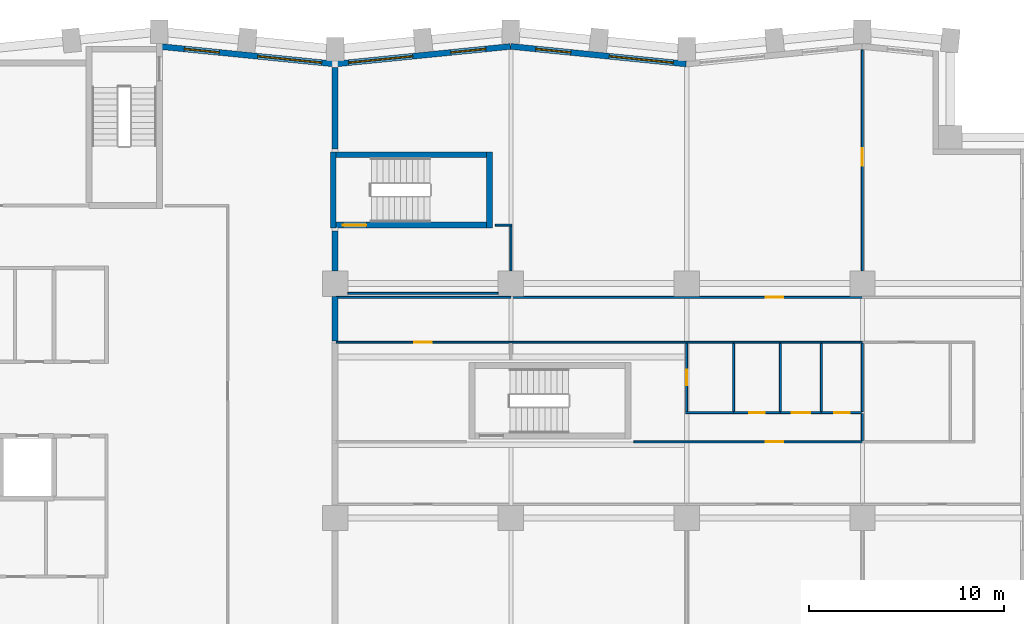
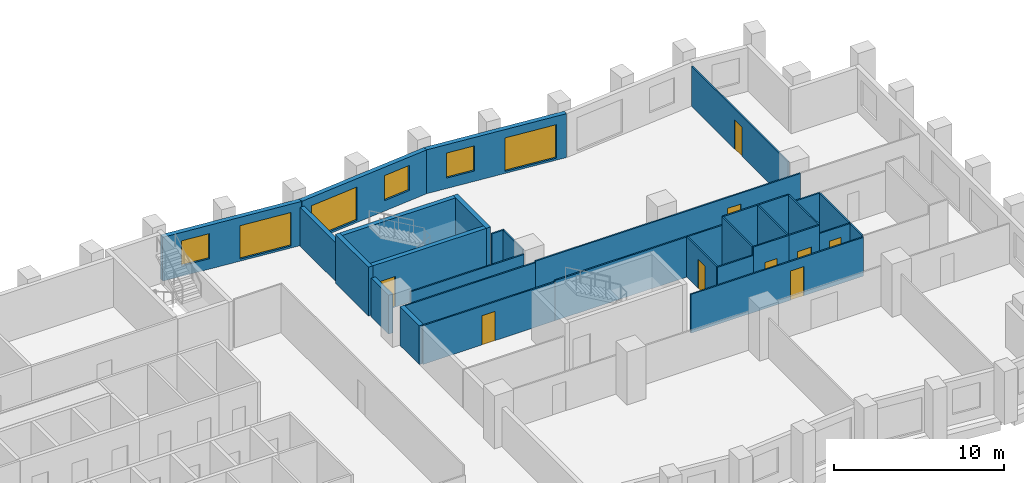
# One storey, part 7 of 11: 33 walls, 9 doors, 6 windows, 15 openings.
"""IFC4 building model written with IfcOpenShell, lengths in metres."""

import ifcopenshell
import ifcopenshell.guid

model = None  # the IFC model being written
_history = None  # IfcOwnerHistory: only IFC2X3 demands one
_inside = {}  # id of a spatial element -> (the spatial element, [elements in it])
_under = {}  # id of a project, library or spatial element -> (it, [spatial elements below it])
_declared = {}  # id of a project -> (the project, [libraries it declares])
_typed = {}  # id of a type object -> (the type object, [elements of that type])
_made_of = {}  # id of a material, layer set ... -> (it, [elements and type objects made of it])


def new_model(schema):
    """Start an empty IFC model of exactly this schema.

    Asked for "IFC4X3", IfcOpenShell would pick the latest addendum, in which some entities
    have other attributes; the version numbers below select the first issue.
    IFC2X3 requires an IfcOwnerHistory on every rooted entity: one is made here for all.
    """
    global model, _history
    if schema == "IFC4X3":
        model = ifcopenshell.file(schema_version=(4, 3, 0, 0))
    else:
        model = ifcopenshell.file(schema=schema)
    _inside.clear()
    _under.clear()
    _declared.clear()
    _typed.clear()
    _made_of.clear()
    _history = None
    if model.schema == "IFC2X3":
        org = make("IfcOrganization", Name="unknown")
        user = make(
            "IfcPersonAndOrganization",
            ThePerson=make("IfcPerson", FamilyName="unknown"),
            TheOrganization=org,
        )
        app = make(
            "IfcApplication",
            ApplicationDeveloper=org,
            Version="unknown",
            ApplicationFullName="unknown",
            ApplicationIdentifier="unknown",
        )
        _history = make(
            "IfcOwnerHistory",
            OwningUser=user,
            OwningApplication=app,
            ChangeAction="ADDED",
            CreationDate=0,
        )
    return model


def make(cls, **values):
    """One entity of the class cls with the attributes given. An attribute that is None is left unset."""
    return model.create_entity(
        cls, **{name: value for name, value in values.items() if value is not None}
    )


def rooted(cls, **values):
    """An entity with a GlobalId (a new one), such as an element, a storey or a relation."""
    return make(cls, GlobalId=ifcopenshell.guid.new(), OwnerHistory=_history, **values)


def si_unit(unit_type, name, prefix=None):
    """IfcSIUnit, for example si_unit("LENGTHUNIT", "METRE", prefix="MILLI")."""
    return make("IfcSIUnit", UnitType=unit_type, Prefix=prefix, Name=name)


def assignment(units):
    """IfcUnitAssignment: the units of a project."""
    return None if units is None else make("IfcUnitAssignment", Units=units)


def point(xyz):
    """IfcCartesianPoint."""
    return None if xyz is None else make("IfcCartesianPoint", Coordinates=xyz)


def direction(xyz):
    """IfcDirection."""
    return None if xyz is None else make("IfcDirection", DirectionRatios=xyz)


def frame(location, z_axis=None, x_axis=None):
    """IfcAxis2Placement3D, a coordinate frame: its origin and axes. An axis left out is left unset."""
    return make(
        "IfcAxis2Placement3D",
        Location=point(location),
        Axis=direction(z_axis),
        RefDirection=direction(x_axis),
    )


def frame_2d(location, x_axis=None):
    """IfcAxis2Placement2D, a coordinate frame in the plane: its origin and x axis."""
    return make(
        "IfcAxis2Placement2D", Location=point(location), RefDirection=direction(x_axis)
    )


def origin():
    """The frame at (0, 0, 0) with its axes left unset."""
    return frame((0.0, 0.0, 0.0))


def place(relative_to, where):
    """IfcLocalPlacement: puts the frame where relative to a parent placement (None: the world)."""
    return make(
        "IfcLocalPlacement", PlacementRelTo=relative_to, RelativePlacement=where
    )


def context(
    kind, dimensions, precision=None, world=None, true_north=None, identifier=None
):
    """IfcGeometricRepresentationContext, for example the 3D "Model" context."""
    return make(
        "IfcGeometricRepresentationContext",
        ContextIdentifier=identifier,
        ContextType=kind,
        CoordinateSpaceDimension=dimensions,
        Precision=precision,
        WorldCoordinateSystem=world,
        TrueNorth=true_north,
    )


def subcontext(parent, identifier, kind, view, scale=None):
    """IfcGeometricRepresentationSubContext, for example "Body" below "Model"."""
    return make(
        "IfcGeometricRepresentationSubContext",
        ContextIdentifier=identifier,
        ContextType=kind,
        ParentContext=parent,
        TargetScale=scale,
        TargetView=view,
    )


def project(units=None, contexts=None):
    """IfcProject with its units and contexts."""
    return rooted(
        "IfcProject",
        Name="project",
        RepresentationContexts=contexts,
        UnitsInContext=assignment(units),
    )


def spatial(cls, under=None, at=None, **own):
    """A site, building, storey or space (cls), placed at a placement, below another one or the project."""
    s = rooted(cls, ObjectPlacement=at, **own)
    if under is not None:
        _under.setdefault(under.id(), (under, []))[1].append(s)
    return s


def profile(cls, at=None, kind="AREA", **sizes):
    """A parametric profile (cls). Its sizes go by their IFC names, for example OverallWidth=200.0."""
    return make(cls, ProfileType=kind, Position=at, **sizes)


def rectangle(**sizes):
    """IfcRectangleProfileDef."""
    return profile("IfcRectangleProfileDef", **sizes)


def extrude(swept, where, along, depth):
    """IfcExtrudedAreaSolid: the profile swept, set in the frame where, extruded along a direction by depth."""
    return make(
        "IfcExtrudedAreaSolid",
        SweptArea=swept,
        Position=where,
        ExtrudedDirection=direction(along),
        Depth=depth,
    )


def shape(context_of_items, identifier, shape_type, items):
    """IfcShapeRepresentation: the items that make up one representation, for example the "Body"."""
    return make(
        "IfcShapeRepresentation",
        ContextOfItems=context_of_items,
        RepresentationIdentifier=identifier,
        RepresentationType=shape_type,
        Items=items,
    )


def material(Name=None, Category=None):
    """IfcMaterial."""
    return make("IfcMaterial", Name=Name, Category=Category)


def layer(
    of_material, thickness, ventilated=None, Name=None, Category=None, Priority=None
):
    """IfcMaterialLayer: one layer of a wall or slab, of a material (None: an air gap)."""
    return make(
        "IfcMaterialLayer",
        Material=of_material,
        LayerThickness=thickness,
        IsVentilated=ventilated,
        Name=Name,
        Category=Category,
        Priority=Priority,
    )


def layer_set(layers, Name=None):
    """IfcMaterialLayerSet."""
    return make("IfcMaterialLayerSet", MaterialLayers=layers, LayerSetName=Name)


def made_of(thing, what):
    """Note that an element or type object is made of a material, layer set ...; save() writes the relation."""
    if what is not None:
        _made_of.setdefault(what.id(), (what, []))[1].append(thing)
    return thing


def type_object(cls, material=None, **own):
    """A type object (cls), such as IfcWallType, which elements share."""
    return made_of(rooted(cls, **own), material)


def element(
    cls,
    number,
    at=None,
    inside=None,
    cuts=None,
    type_object=None,
    material=None,
    context=None,
    identifier="Body",
    shape_type=None,
    held_by="IfcProductDefinitionShape",
    body=None,
    shapes=None,
    **own,
):
    """One element of the class cls, such as IfcWall. Its Tag is "e" and its number.

    at: its placement. inside: the storey or other place that contains it. cuts: it is an
    opening in that element (IfcRelVoidsElement). A single representation is given by context,
    identifier, shape_type and body (its items); several are given by shapes. held_by: the class
    of the entity that holds the representations. save() writes the other relations.
    """
    e = rooted(cls, Tag="e%d" % number, ObjectPlacement=at, **own)
    if body is not None:
        shapes = [shape(context, identifier, shape_type, body)]
    if shapes is not None:
        e.Representation = make(held_by, Representations=shapes)
    if inside is not None:
        _inside.setdefault(inside.id(), (inside, []))[1].append(e)
    if cuts is not None:
        rooted(
            "IfcRelVoidsElement", RelatingBuildingElement=cuts, RelatedOpeningElement=e
        )
    if type_object is not None:
        _typed.setdefault(type_object.id(), (type_object, []))[1].append(e)
    return made_of(e, material)


def fill(opening, filler):
    """IfcRelFillsElement: the door or window that sits in an opening."""
    return rooted(
        "IfcRelFillsElement",
        RelatingOpeningElement=opening,
        RelatedBuildingElement=filler,
    )


def aggregate(whole, parts):
    """IfcRelAggregates: a whole, such as a stair, and the parts it consists of."""
    return rooted("IfcRelAggregates", RelatingObject=whole, RelatedObjects=parts)


def save(model, path):
    """Write the relations noted so far, then the file.

    IfcRelAggregates (storeys below a building ...), IfcRelContainedInSpatialStructure (elements
    in a storey), IfcRelDefinesByType, IfcRelAssociatesMaterial and IfcRelDeclares: one each for
    every whole, place, type object, material and project.
    """
    for whole, parts in _under.values():
        aggregate(whole, parts)
    for where, things in _inside.values():
        rooted(
            "IfcRelContainedInSpatialStructure",
            RelatedElements=things,
            RelatingStructure=where,
        )
    for kind, things in _typed.values():
        rooted("IfcRelDefinesByType", RelatedObjects=things, RelatingType=kind)
    for what, things in _made_of.values():
        rooted("IfcRelAssociatesMaterial", RelatedObjects=things, RelatingMaterial=what)
    for by, libraries in _declared.values():
        rooted("IfcRelDeclares", RelatingContext=by, RelatedDefinitions=libraries)
    model.write(path)


model = new_model("IFC4")

# Units and contexts
model_context = context("Model", 3, precision=1e-05, world=origin(), true_north=direction((0.0, 1.0)))
body_context = subcontext(model_context, "Body", "Model", "MODEL_VIEW")
ifc_project = project(units=[si_unit("LENGTHUNIT", "METRE"), si_unit("AREAUNIT", "SQUARE_METRE"), si_unit("VOLUMEUNIT", "CUBIC_METRE"), si_unit("PLANEANGLEUNIT", "RADIAN"), si_unit("MASSUNIT", "GRAM", prefix="KILO")], contexts=[model_context])

# Site, building, storey
site_placement = place(None, origin())
site = spatial("IfcSite", under=ifc_project, at=site_placement, CompositionType="ELEMENT")
building_placement = place(site_placement, origin())
building = spatial("IfcBuilding", under=site, at=building_placement, Name="Brondeck Convention Tower", CompositionType="ELEMENT")
storey_placement = place(building_placement, frame((0.0, 0.0, 107.5)))
storey = spatial("IfcBuildingStorey", under=building, at=storey_placement, Name="L25", CompositionType="ELEMENT", Elevation=107.5)

# Walls
ifc_material_1 = material(Name="Concrete compartment wall C30/37", Category="concrete")
ifc_layer_1 = layer(ifc_material_1, 0.300048828125)
ifc_layer_set_1 = layer_set([ifc_layer_1], Name="Compartment wall 300")
wall_type_1 = type_object("IfcWallType", Name="Compartment wall 300", PredefinedType="PARTITIONING", material=ifc_layer_set_1)
wall_1_placement = place(storey_placement, frame((36.0, 48.050048828125, 0.0), z_axis=(0.0, 0.0, 1.0), x_axis=(0.0, 1.0, 0.0)))
element("IfcWall", 1, at=wall_1_placement, inside=storey, type_object=wall_type_1, Name="FLR-L25-W064", PredefinedType="PARTITIONING", context=body_context, shape_type="SweptSolid", body=[
    extrude(rectangle(XDim=2.280029296875, YDim=0.300048828125, at=frame_2d((1.14013671875, 0.0))), origin(), (0.0, 0.0, 1.0), 2.780029296875),
])
wall_2_placement = place(storey_placement, frame((36.0, 51.655029296875, 0.0), z_axis=(0.0, 0.0, 1.0), x_axis=(0.0, 1.0, 0.0)))
element("IfcWall", 2, at=wall_2_placement, inside=storey, type_object=wall_type_1, Name="FLR-L25-W069", PredefinedType="PARTITIONING", context=body_context, shape_type="SweptSolid", body=[
    extrude(rectangle(XDim=2.044921875, YDim=0.300048828125, at=frame_2d((1.0224609375, 0.0))), origin(), (0.0, 0.0, 1.0), 2.780029296875),
])
wall_3_placement = place(storey_placement, frame((36.0, 57.89990234375, 0.0), z_axis=(0.0, 0.0, 1.0), x_axis=(0.0, 1.0, 0.0)))
element("IfcWall", 3, at=wall_3_placement, inside=storey, type_object=wall_type_1, Name="FLR-L25-W074", PredefinedType="PARTITIONING", context=body_context, shape_type="SweptSolid", body=[
    extrude(rectangle(XDim=4.175537109375, YDim=0.300048828125, at=frame_2d((2.087890625, 0.0))), origin(), (0.0, 0.0, 1.0), 2.780029296875),
])

# Wall, openings, windows
ifc_material_2 = material(Name="Precast concrete C50/60 bronze finish", Category="concrete")
ifc_layer_2 = layer(ifc_material_2, 0.070068359375, Name="Bronze precast facing")
ifc_material_3 = material(Name="Mineral wool")
ifc_layer_3 = layer(ifc_material_3, 0.159912109375, Name="Insulation")
ifc_material_4 = material(Name="Concrete C35/45", Category="concrete")
ifc_layer_4 = layer(ifc_material_4, 0.070068359375, Name="Backing")
ifc_layer_set_2 = layer_set([ifc_layer_2, ifc_layer_3, ifc_layer_4], Name="External infill wall, precast concrete C50/60 bronze facing")
wall_type_2 = type_object("IfcWallType", Name="External infill wall, precast concrete C50/60 bronze facing", PredefinedType="SOLIDWALL", material=ifc_layer_set_2)
wall_4_placement = place(storey_placement, frame((44.985107421875, 63.147705078125, 0.0), z_axis=(0.0, 0.0, 1.0), x_axis=(0.995037993253, -0.099495688264, 0.0)))
wall_4 = element("IfcWall", 4, at=wall_4_placement, inside=storey, type_object=wall_type_2, Name="ENV-EW-L25-P0-A-N-11", PredefinedType="SOLIDWALL", context=body_context, shape_type="SweptSolid", body=[
    extrude(rectangle(XDim=9.030029296875, YDim=0.300048828125, at=frame_2d((4.51513671875, 0.0))), origin(), (0.0, 0.0, 1.0), 3.14990234375),
])
opening_1_placement = place(wall_4_placement, frame((1.30126953125, 0.0, 0.75)))
opening_1 = element("IfcOpeningElement", 5, at=opening_1_placement, cuts=wall_4, Name="Opening W10", PredefinedType="OPENING", context=body_context, shape_type="SweptSolid", body=[
    extrude(rectangle(XDim=1.800048828125, YDim=1.800048828125, at=frame_2d((0.89990234375, 0.89990234375))), frame((0.0, 0.159912109375, 0.0), z_axis=(0.0, -1.0, 0.0), x_axis=(1.0, 0.0, 0.0)), (0.0, 0.0, 1.0), 0.320068359375),
])
opening_2_placement = place(wall_4_placement, frame((5.073486328125, 0.0, 0.14990234375)))
opening_2 = element("IfcOpeningElement", 6, at=opening_2_placement, cuts=wall_4, Name="Opening W9", PredefinedType="OPENING", context=body_context, shape_type="SweptSolid", body=[
    extrude(rectangle(XDim=3.300048828125, YDim=2.39990234375, at=frame_2d((1.64990234375, 1.199951171875))), frame((0.0, 0.159912109375, 0.0), z_axis=(0.0, -1.0, 0.0), x_axis=(1.0, 0.0, 0.0)), (0.0, 0.0, 1.0), 0.320068359375),
])
ifc_material_5 = material(Name="Bronze tinted double glazing", Category="glass")
window_type_1 = type_object("IfcWindowType", Name="Glazed flute window, bronze tinted", PartitioningType="SINGLE_PANEL", PredefinedType="WINDOW", material=ifc_material_5)
window_1_placement = place(opening_2_placement, origin())
window_1 = element("IfcWindow", 7, at=window_1_placement, inside=storey, type_object=window_type_1, Name="ENV-WN-L25-P0-A-N-11", OverallHeight=2.39990234375, OverallWidth=3.300048828125, PartitioningType="SINGLE_PANEL", PredefinedType="WINDOW", context=body_context, shape_type="SweptSolid", body=[
    extrude(rectangle(XDim=3.300048828125, YDim=2.39990234375, at=frame_2d((1.64990234375, 1.199951171875))), frame((0.0, 0.030029296875, 0.0), z_axis=(0.0, -1.0, 0.0), x_axis=(1.0, 0.0, 0.0)), (0.0, 0.0, 1.0), 0.06005859375),
])
fill(opening_2, window_1)
window_type_2 = type_object("IfcWindowType", Name="Punched window, bronze tinted", PartitioningType="SINGLE_PANEL", PredefinedType="WINDOW", material=ifc_material_5)
window_2_placement = place(opening_1_placement, origin())
window_2 = element("IfcWindow", 8, at=window_2_placement, inside=storey, type_object=window_type_2, Name="ENV-WN-L25-P0-A-N-10", OverallHeight=1.800048828125, OverallWidth=1.800048828125, PartitioningType="SINGLE_PANEL", PredefinedType="WINDOW", context=body_context, shape_type="SweptSolid", body=[
    extrude(rectangle(XDim=1.800048828125, YDim=1.800048828125, at=frame_2d((0.89990234375, 0.89990234375))), frame((0.0, 0.030029296875, 0.0), z_axis=(0.0, -1.0, 0.0), x_axis=(1.0, 0.0, 0.0)), (0.0, 0.0, 1.0), 0.06005859375),
])
fill(opening_1, window_2)

wall_5_placement = place(storey_placement, frame((35.985107421875, 62.244873046875, 0.0), z_axis=(0.0, 0.0, 1.0), x_axis=(0.995037993253, 0.099495688264, 0.0)))
wall_5 = element("IfcWall", 9, at=wall_5_placement, inside=storey, type_object=wall_type_2, Name="ENV-EW-L25-P0-A-N-09", PredefinedType="SOLIDWALL", context=body_context, shape_type="SweptSolid", body=[
    extrude(rectangle(XDim=9.030029296875, YDim=0.300048828125, at=frame_2d((4.51513671875, 0.0))), origin(), (0.0, 0.0, 1.0), 3.14990234375),
])
opening_3_placement = place(wall_5_placement, frame((0.701171875, 0.0, 0.14990234375)))
opening_3 = element("IfcOpeningElement", 10, at=opening_3_placement, cuts=wall_5, Name="Opening W9", PredefinedType="OPENING", context=body_context, shape_type="SweptSolid", body=[
    extrude(rectangle(XDim=3.300048828125, YDim=2.39990234375, at=frame_2d((1.64990234375, 1.199951171875))), frame((0.0, 0.159912109375, 0.0), z_axis=(0.0, -1.0, 0.0), x_axis=(1.0, 0.0, 0.0)), (0.0, 0.0, 1.0), 0.320068359375),
])
opening_4_placement = place(wall_5_placement, frame((5.9736328125, 0.0, 0.75)))
opening_4 = element("IfcOpeningElement", 11, at=opening_4_placement, cuts=wall_5, Name="Opening W10", PredefinedType="OPENING", context=body_context, shape_type="SweptSolid", body=[
    extrude(rectangle(XDim=1.800048828125, YDim=1.800048828125, at=frame_2d((0.89990234375, 0.89990234375))), frame((0.0, 0.159912109375, 0.0), z_axis=(0.0, -1.0, 0.0), x_axis=(1.0, 0.0, 0.0)), (0.0, 0.0, 1.0), 0.320068359375),
])
window_3_placement = place(opening_3_placement, origin())
window_3 = element("IfcWindow", 12, at=window_3_placement, inside=storey, type_object=window_type_1, Name="ENV-WN-L25-P0-A-N-08", OverallHeight=2.39990234375, OverallWidth=3.300048828125, PartitioningType="SINGLE_PANEL", PredefinedType="WINDOW", context=body_context, shape_type="SweptSolid", body=[
    extrude(rectangle(XDim=3.300048828125, YDim=2.39990234375, at=frame_2d((1.64990234375, 1.199951171875))), frame((0.0, 0.030029296875, 0.0), z_axis=(0.0, -1.0, 0.0), x_axis=(1.0, 0.0, 0.0)), (0.0, 0.0, 1.0), 0.06005859375),
])
fill(opening_3, window_3)
window_4_placement = place(opening_4_placement, origin())
window_4 = element("IfcWindow", 13, at=window_4_placement, inside=storey, type_object=window_type_2, Name="ENV-WN-L25-P0-A-N-09", OverallHeight=1.800048828125, OverallWidth=1.800048828125, PartitioningType="SINGLE_PANEL", PredefinedType="WINDOW", context=body_context, shape_type="SweptSolid", body=[
    extrude(rectangle(XDim=1.800048828125, YDim=1.800048828125, at=frame_2d((0.89990234375, 0.89990234375))), frame((0.0, 0.030029296875, 0.0), z_axis=(0.0, -1.0, 0.0), x_axis=(1.0, 0.0, 0.0)), (0.0, 0.0, 1.0), 0.06005859375),
])
fill(opening_4, window_4)

wall_6_placement = place(storey_placement, frame((27.07470703125, 63.138916015625, 0.0), z_axis=(0.0, 0.0, 1.0), x_axis=(0.995036108601, -0.099514534519, 0.0)))
wall_6 = element("IfcWall", 14, at=wall_6_placement, inside=storey, type_object=wall_type_2, Name="ENV-EW-L25-P0-A-N-07", PredefinedType="SOLIDWALL", context=body_context, shape_type="SweptSolid", body=[
    extrude(rectangle(XDim=8.93994140625, YDim=0.300048828125, at=frame_2d((4.469970703125, 0.0))), origin(), (0.0, 0.0, 1.0), 3.14990234375),
])
opening_5_placement = place(wall_6_placement, frame((1.211181640625, 0.0, 0.75)))
opening_5 = element("IfcOpeningElement", 15, at=opening_5_placement, cuts=wall_6, Name="Opening W10", PredefinedType="OPENING", context=body_context, shape_type="SweptSolid", body=[
    extrude(rectangle(XDim=1.800048828125, YDim=1.800048828125, at=frame_2d((0.89990234375, 0.89990234375))), frame((0.0, 0.159912109375, 0.0), z_axis=(0.0, -1.0, 0.0), x_axis=(1.0, 0.0, 0.0)), (0.0, 0.0, 1.0), 0.320068359375),
])
opening_6_placement = place(wall_6_placement, frame((4.983642578125, 0.0, 0.14990234375)))
opening_6 = element("IfcOpeningElement", 16, at=opening_6_placement, cuts=wall_6, Name="Opening W9", PredefinedType="OPENING", context=body_context, shape_type="SweptSolid", body=[
    extrude(rectangle(XDim=3.300048828125, YDim=2.39990234375, at=frame_2d((1.64990234375, 1.199951171875))), frame((0.0, 0.159912109375, 0.0), z_axis=(0.0, -1.0, 0.0), x_axis=(1.0, 0.0, 0.0)), (0.0, 0.0, 1.0), 0.320068359375),
])
window_5_placement = place(opening_6_placement, origin())
window_5 = element("IfcWindow", 17, at=window_5_placement, inside=storey, type_object=window_type_1, Name="ENV-WN-L25-P0-A-N-07", OverallHeight=2.39990234375, OverallWidth=3.300048828125, PartitioningType="SINGLE_PANEL", PredefinedType="WINDOW", context=body_context, shape_type="SweptSolid", body=[
    extrude(rectangle(XDim=3.300048828125, YDim=2.39990234375, at=frame_2d((1.64990234375, 1.199951171875))), frame((0.0, 0.030029296875, 0.0), z_axis=(0.0, -1.0, 0.0), x_axis=(1.0, 0.0, 0.0)), (0.0, 0.0, 1.0), 0.06005859375),
])
fill(opening_6, window_5)
window_6_placement = place(opening_5_placement, origin())
window_6 = element("IfcWindow", 18, at=window_6_placement, inside=storey, type_object=window_type_2, Name="ENV-WN-L25-P0-A-N-06", OverallHeight=1.800048828125, OverallWidth=1.800048828125, PartitioningType="SINGLE_PANEL", PredefinedType="WINDOW", context=body_context, shape_type="SweptSolid", body=[
    extrude(rectangle(XDim=1.800048828125, YDim=1.800048828125, at=frame_2d((0.89990234375, 0.89990234375))), frame((0.0, 0.030029296875, 0.0), z_axis=(0.0, -1.0, 0.0), x_axis=(1.0, 0.0, 0.0)), (0.0, 0.0, 1.0), 0.06005859375),
])
fill(opening_5, window_6)

# Wall, opening, door
ifc_material_6 = material(Name="Gypsum board partition on steel studs", Category="steel")
ifc_layer_5 = layer(ifc_material_6, 0.10009765625)
ifc_layer_set_3 = layer_set([ifc_layer_5], Name="Room partition 100")
wall_type_3 = type_object("IfcWallType", Name="Room partition 100", PredefinedType="PARTITIONING", material=ifc_layer_set_3)
wall_7_placement = place(storey_placement, frame((51.300048828125, 42.89990234375, 0.0), z_axis=(0.0, 0.0, 1.0), x_axis=(1.0, 0.0, 0.0)))
wall_7 = element("IfcWall", 19, at=wall_7_placement, inside=storey, type_object=wall_type_3, Name="FLR-L25-W039", PredefinedType="PARTITIONING", context=body_context, shape_type="SweptSolid", body=[
    extrude(rectangle(XDim=11.699951171875, YDim=0.10009765625, at=frame_2d((5.85009765625, 0.0))), origin(), (0.0, 0.0, 1.0), 2.780029296875),
])
opening_7_placement = place(wall_7_placement, frame((6.75, 0.0, 0.0)))
opening_7 = element("IfcOpeningElement", 20, at=opening_7_placement, cuts=wall_7, Name="Opening OF-B-003", PredefinedType="OPENING", context=body_context, shape_type="SweptSolid", body=[
    extrude(rectangle(XDim=0.89990234375, YDim=2.10009765625, at=frame_2d((0.449951171875, 1.050048828125))), frame((0.0, 0.06005859375, 0.0), z_axis=(0.0, -1.0, 0.0), x_axis=(1.0, 0.0, 0.0)), (0.0, 0.0, 1.0), 0.1201171875),
])
ifc_material_7 = material(Name="Solid timber door leaf", Category="wood")
door_type_1 = type_object("IfcDoorType", Name="Single door 900", OperationType="NOTDEFINED", PredefinedType="DOOR", material=ifc_material_7)
door_1_placement = place(opening_7_placement, origin())
door_1 = element("IfcDoor", 21, at=door_1_placement, inside=storey, type_object=door_type_1, Name="Door OF-B-003", OperationType="SINGLE_SWING_LEFT", OverallHeight=2.10009765625, OverallWidth=0.89990234375, PredefinedType="DOOR", context=body_context, shape_type="SweptSolid", body=[
    extrude(rectangle(XDim=0.89990234375, YDim=2.10009765625, at=frame_2d((0.449951171875, 1.050048828125))), frame((0.0, 0.02490234375, 0.0), z_axis=(0.0, -1.0, 0.0), x_axis=(1.0, 0.0, 0.0)), (0.0, 0.0, 1.0), 0.050048828125),
])
fill(opening_7, door_1)

# Walls
wall_8_placement = place(storey_placement, frame((63.0, 44.35009765625, 0.0), z_axis=(0.0, 0.0, 1.0), x_axis=(0.0, -1.0, 0.0)))
element("IfcWall", 22, at=wall_8_placement, inside=storey, type_object=wall_type_3, Name="FLR-L25-W044", PredefinedType="PARTITIONING", context=body_context, shape_type="SweptSolid", body=[
    extrude(rectangle(XDim=1.400146484375, YDim=0.10009765625, at=frame_2d((0.7001953125, 0.0))), origin(), (0.0, 0.0, 1.0), 2.8798828125),
])
wall_9_placement = place(storey_placement, frame((53.949951171875, 44.39990234375, 0.0), z_axis=(0.0, 0.0, 1.0), x_axis=(1.0, 0.0, 0.0)))
element("IfcWall", 23, at=wall_9_placement, inside=storey, type_object=wall_type_3, Name="FLR-L25-W045", PredefinedType="PARTITIONING", context=body_context, shape_type="SweptSolid", body=[
    extrude(rectangle(XDim=2.449951171875, YDim=0.10009765625, at=frame_2d((1.22509765625, 0.0))), origin(), (0.0, 0.0, 1.0), 2.8798828125),
])

# Wall, opening, door
wall_10_placement = place(storey_placement, frame((56.39990234375, 44.39990234375, 0.0), z_axis=(0.0, 0.0, 1.0), x_axis=(1.0, 0.0, 0.0)))
wall_10 = element("IfcWall", 24, at=wall_10_placement, inside=storey, type_object=wall_type_3, Name="FLR-L25-W046", PredefinedType="PARTITIONING", context=body_context, shape_type="SweptSolid", body=[
    extrude(rectangle(XDim=2.400146484375, YDim=0.10009765625, at=frame_2d((1.2001953125, 0.0))), origin(), (0.0, 0.0, 1.0), 3.47998046875),
])
opening_8_placement = place(wall_10_placement, frame((0.800048828125, 0.0, 0.0)))
opening_8 = element("IfcOpeningElement", 25, at=opening_8_placement, cuts=wall_10, Name="Opening OF-B-005", PredefinedType="OPENING", context=body_context, shape_type="SweptSolid", body=[
    extrude(rectangle(XDim=0.800048828125, YDim=2.10009765625, at=frame_2d((0.39990234375, 1.050048828125))), frame((0.0, 0.06005859375, 0.0), z_axis=(0.0, -1.0, 0.0), x_axis=(1.0, 0.0, 0.0)), (0.0, 0.0, 1.0), 0.1201171875),
])
door_type_2 = type_object("IfcDoorType", Name="En-suite door 800", OperationType="NOTDEFINED", PredefinedType="DOOR", material=ifc_material_7)
door_2_placement = place(opening_8_placement, origin())
door_2 = element("IfcDoor", 26, at=door_2_placement, inside=storey, type_object=door_type_2, Name="Door OF-B-005", OperationType="SINGLE_SWING_RIGHT", OverallHeight=2.10009765625, OverallWidth=0.800048828125, PredefinedType="DOOR", context=body_context, shape_type="SweptSolid", body=[
    extrude(rectangle(XDim=0.800048828125, YDim=2.10009765625, at=frame_2d((0.39990234375, 1.050048828125))), frame((0.0, 0.02490234375, 0.0), z_axis=(0.0, -1.0, 0.0), x_axis=(1.0, 0.0, 0.0)), (0.0, 0.0, 1.0), 0.050048828125),
])
fill(opening_8, door_2)

wall_11_placement = place(storey_placement, frame((58.800048828125, 44.39990234375, 0.0), z_axis=(0.0, 0.0, 1.0), x_axis=(1.0, 0.0, 0.0)))
wall_11 = element("IfcWall", 27, at=wall_11_placement, inside=storey, type_object=wall_type_3, Name="FLR-L25-W047", PredefinedType="PARTITIONING", context=body_context, shape_type="SweptSolid", body=[
    extrude(rectangle(XDim=2.099853515625, YDim=0.10009765625, at=frame_2d((1.0498046875, 0.0))), origin(), (0.0, 0.0, 1.0), 3.47998046875),
])
opening_9_placement = place(wall_11_placement, frame((0.574951171875, 0.0, 0.0)))
opening_9 = element("IfcOpeningElement", 28, at=opening_9_placement, cuts=wall_11, Name="Opening OF-B-006", PredefinedType="OPENING", context=body_context, shape_type="SweptSolid", body=[
    extrude(rectangle(XDim=0.949951171875, YDim=2.10009765625, at=frame_2d((0.47509765625, 1.050048828125))), frame((0.0, 0.06005859375, 0.0), z_axis=(0.0, -1.0, 0.0), x_axis=(1.0, 0.0, 0.0)), (0.0, 0.0, 1.0), 0.1201171875),
])
door_type_3 = type_object("IfcDoorType", Name="Accessible door 950", OperationType="NOTDEFINED", PredefinedType="DOOR", material=ifc_material_7)
door_3_placement = place(opening_9_placement, origin())
door_3 = element("IfcDoor", 29, at=door_3_placement, inside=storey, type_object=door_type_3, Name="Door OF-B-006", OperationType="SINGLE_SWING_LEFT", OverallHeight=2.10009765625, OverallWidth=0.949951171875, PredefinedType="DOOR", context=body_context, shape_type="SweptSolid", body=[
    extrude(rectangle(XDim=0.949951171875, YDim=2.10009765625, at=frame_2d((0.47509765625, 1.050048828125))), frame((0.0, 0.02490234375, 0.0), z_axis=(0.0, -1.0, 0.0), x_axis=(1.0, 0.0, 0.0)), (0.0, 0.0, 1.0), 0.050048828125),
])
fill(opening_9, door_3)

wall_12_placement = place(storey_placement, frame((60.89990234375, 44.39990234375, 0.0), z_axis=(0.0, 0.0, 1.0), x_axis=(1.0, 0.0, 0.0)))
wall_12 = element("IfcWall", 30, at=wall_12_placement, inside=storey, type_object=wall_type_3, Name="FLR-L25-W048", PredefinedType="PARTITIONING", context=body_context, shape_type="SweptSolid", body=[
    extrude(rectangle(XDim=2.050048828125, YDim=0.10009765625, at=frame_2d((1.02490234375, 0.0))), origin(), (0.0, 0.0, 1.0), 2.8798828125),
])
opening_10_placement = place(wall_12_placement, frame((0.64990234375, 0.0, 0.0)))
opening_10 = element("IfcOpeningElement", 31, at=opening_10_placement, cuts=wall_12, Name="Opening OF-B-007", PredefinedType="OPENING", context=body_context, shape_type="SweptSolid", body=[
    extrude(rectangle(XDim=0.800048828125, YDim=2.10009765625, at=frame_2d((0.39990234375, 1.050048828125))), frame((0.0, 0.06005859375, 0.0), z_axis=(0.0, -1.0, 0.0), x_axis=(1.0, 0.0, 0.0)), (0.0, 0.0, 1.0), 0.1201171875),
])
ifc_material_8 = material(Name="Steel service door leaf", Category="steel")
door_type_4 = type_object("IfcDoorType", Name="Service door 800", OperationType="NOTDEFINED", PredefinedType="DOOR", material=ifc_material_8)
door_4_placement = place(opening_10_placement, origin())
door_4 = element("IfcDoor", 32, at=door_4_placement, inside=storey, type_object=door_type_4, Name="Door OF-B-007", OperationType="SINGLE_SWING_RIGHT", OverallHeight=2.10009765625, OverallWidth=0.800048828125, PredefinedType="DOOR", context=body_context, shape_type="SweptSolid", body=[
    extrude(rectangle(XDim=0.800048828125, YDim=2.10009765625, at=frame_2d((0.39990234375, 1.050048828125))), frame((0.0, 0.02490234375, 0.0), z_axis=(0.0, -1.0, 0.0), x_axis=(1.0, 0.0, 0.0)), (0.0, 0.0, 1.0), 0.050048828125),
])
fill(opening_10, door_4)

wall_13_placement = place(storey_placement, frame((54.0, 47.949951171875, 0.0), z_axis=(0.0, 0.0, 1.0), x_axis=(0.0, -1.0, 0.0)))
wall_13 = element("IfcWall", 33, at=wall_13_placement, inside=storey, type_object=wall_type_3, Name="FLR-L25-W050", PredefinedType="PARTITIONING", context=body_context, shape_type="SweptSolid", body=[
    extrude(rectangle(XDim=3.5, YDim=0.10009765625, at=frame_2d((1.75, 0.0))), origin(), (0.0, 0.0, 1.0), 2.8798828125),
])
opening_11_placement = place(wall_13_placement, frame((1.35009765625, 0.0, 0.0)))
opening_11 = element("IfcOpeningElement", 34, at=opening_11_placement, cuts=wall_13, Name="Opening OF-B-004", PredefinedType="OPENING", context=body_context, shape_type="SweptSolid", body=[
    extrude(rectangle(XDim=0.800048828125, YDim=2.10009765625, at=frame_2d((0.39990234375, 1.050048828125))), frame((0.0, 0.06005859375, 0.0), z_axis=(0.0, -1.0, 0.0), x_axis=(1.0, 0.0, 0.0)), (0.0, 0.0, 1.0), 0.1201171875),
])
door_5_placement = place(opening_11_placement, origin())
door_5 = element("IfcDoor", 35, at=door_5_placement, inside=storey, type_object=door_type_2, Name="Door OF-B-004", OperationType="SINGLE_SWING_LEFT", OverallHeight=2.10009765625, OverallWidth=0.800048828125, PredefinedType="DOOR", context=body_context, shape_type="SweptSolid", body=[
    extrude(rectangle(XDim=0.800048828125, YDim=2.10009765625, at=frame_2d((0.39990234375, 1.050048828125))), frame((0.0, 0.02490234375, 0.0), z_axis=(0.0, -1.0, 0.0), x_axis=(1.0, 0.0, 0.0)), (0.0, 0.0, 1.0), 0.050048828125),
])
fill(opening_11, door_5)

# Walls
for number, where, z_axis, x_axis, name in (
    (36, (56.39990234375, 47.949951171875, 0.0), (0.0, 0.0, 1.0), (0.0, -1.0, 0.0), "FLR-L25-W051"),
    (37, (58.800048828125, 47.949951171875, 0.0), (0.0, 0.0, 1.0), (0.0, -1.0, 0.0), "FLR-L25-W052"),
    (38, (60.89990234375, 47.949951171875, 0.0), (0.0, 0.0, 1.0), (0.0, -1.0, 0.0), "FLR-L25-W053"),
):
    element("IfcWall", number, at=place(storey_placement, frame(where, z_axis=z_axis, x_axis=x_axis)), inside=storey, type_object=wall_type_3, Name=name, PredefinedType="PARTITIONING", context=body_context, shape_type="SweptSolid", body=[
        extrude(rectangle(XDim=3.5, YDim=0.10009765625, at=frame_2d((1.75, 0.0))), origin(), (0.0, 0.0, 1.0), 3.47998046875),
    ])
wall_14_placement = place(storey_placement, frame((63.0, 47.949951171875, 0.0), z_axis=(0.0, 0.0, 1.0), x_axis=(0.0, -1.0, 0.0)))
element("IfcWall", 39, at=wall_14_placement, inside=storey, type_object=wall_type_3, Name="FLR-L25-W054", PredefinedType="PARTITIONING", context=body_context, shape_type="SweptSolid", body=[
    extrude(rectangle(XDim=3.5, YDim=0.10009765625, at=frame_2d((1.75, 0.0))), origin(), (0.0, 0.0, 1.0), 2.8798828125),
])

# Wall, opening, door
wall_15_placement = place(storey_placement, frame((45.0, 48.0, 0.0), z_axis=(0.0, 0.0, 1.0), x_axis=(-1.0, 0.0, 0.0)))
wall_15 = element("IfcWall", 40, at=wall_15_placement, inside=storey, type_object=wall_type_3, Name="FLR-L25-W056", PredefinedType="PARTITIONING", context=body_context, shape_type="SweptSolid", body=[
    extrude(rectangle(XDim=8.949951171875, YDim=0.10009765625, at=frame_2d((4.47509765625, 0.0))), origin(), (0.0, 0.0, 1.0), 2.780029296875),
])
opening_12_placement = place(wall_15_placement, frame((4.050048828125, 0.0, 0.0)))
opening_12 = element("IfcOpeningElement", 41, at=opening_12_placement, cuts=wall_15, Name="Opening OF-B-002", PredefinedType="OPENING", context=body_context, shape_type="SweptSolid", body=[
    extrude(rectangle(XDim=0.89990234375, YDim=2.10009765625, at=frame_2d((0.449951171875, 1.050048828125))), frame((0.0, 0.06005859375, 0.0), z_axis=(0.0, -1.0, 0.0), x_axis=(1.0, 0.0, 0.0)), (0.0, 0.0, 1.0), 0.1201171875),
])
door_6_placement = place(opening_12_placement, origin())
door_6 = element("IfcDoor", 42, at=door_6_placement, inside=storey, type_object=door_type_1, Name="Door OF-B-002", OperationType="SINGLE_SWING_RIGHT", OverallHeight=2.10009765625, OverallWidth=0.89990234375, PredefinedType="DOOR", context=body_context, shape_type="SweptSolid", body=[
    extrude(rectangle(XDim=0.89990234375, YDim=2.10009765625, at=frame_2d((0.449951171875, 1.050048828125))), frame((0.0, 0.02490234375, 0.0), z_axis=(0.0, -1.0, 0.0), x_axis=(1.0, 0.0, 0.0)), (0.0, 0.0, 1.0), 0.050048828125),
])
fill(opening_12, door_6)

# Walls
wall_16_placement = place(storey_placement, frame((54.0, 48.0, 0.0), z_axis=(0.0, 0.0, 1.0), x_axis=(-1.0, 0.0, 0.0)))
element("IfcWall", 43, at=wall_16_placement, inside=storey, type_object=wall_type_3, Name="FLR-L25-W057", PredefinedType="PARTITIONING", context=body_context, shape_type="SweptSolid", body=[
    extrude(rectangle(XDim=9.0, YDim=0.10009765625, at=frame_2d((4.5, 0.0))), origin(), (0.0, 0.0, 1.0), 2.8798828125),
])
wall_17_placement = place(storey_placement, frame((56.39990234375, 48.0, 0.0), z_axis=(0.0, 0.0, 1.0), x_axis=(-1.0, 0.0, 0.0)))
element("IfcWall", 44, at=wall_17_placement, inside=storey, type_object=wall_type_3, Name="FLR-L25-W058", PredefinedType="PARTITIONING", context=body_context, shape_type="SweptSolid", body=[
    extrude(rectangle(XDim=2.39990234375, YDim=0.10009765625, at=frame_2d((1.199951171875, 0.0))), origin(), (0.0, 0.0, 1.0), 2.8798828125),
])
wall_18_placement = place(storey_placement, frame((58.800048828125, 48.0, 0.0), z_axis=(0.0, 0.0, 1.0), x_axis=(-1.0, 0.0, 0.0)))
element("IfcWall", 45, at=wall_18_placement, inside=storey, type_object=wall_type_3, Name="FLR-L25-W059", PredefinedType="PARTITIONING", context=body_context, shape_type="SweptSolid", body=[
    extrude(rectangle(XDim=2.400146484375, YDim=0.10009765625, at=frame_2d((1.2001953125, 0.0))), origin(), (0.0, 0.0, 1.0), 3.47998046875),
])
wall_19_placement = place(storey_placement, frame((60.89990234375, 48.0, 0.0), z_axis=(0.0, 0.0, 1.0), x_axis=(-1.0, 0.0, 0.0)))
element("IfcWall", 46, at=wall_19_placement, inside=storey, type_object=wall_type_3, Name="FLR-L25-W060", PredefinedType="PARTITIONING", context=body_context, shape_type="SweptSolid", body=[
    extrude(rectangle(XDim=2.099853515625, YDim=0.10009765625, at=frame_2d((1.0498046875, 0.0))), origin(), (0.0, 0.0, 1.0), 3.47998046875),
])
wall_20_placement = place(storey_placement, frame((63.0, 48.0, 0.0), z_axis=(0.0, 0.0, 1.0), x_axis=(-1.0, 0.0, 0.0)))
element("IfcWall", 47, at=wall_20_placement, inside=storey, type_object=wall_type_3, Name="FLR-L25-W061", PredefinedType="PARTITIONING", context=body_context, shape_type="SweptSolid", body=[
    extrude(rectangle(XDim=2.10009765625, YDim=0.10009765625, at=frame_2d((1.050048828125, 0.0))), origin(), (0.0, 0.0, 1.0), 2.8798828125),
])
wall_21_placement = place(storey_placement, frame((36.050048828125, 50.300048828125, 0.0), z_axis=(0.0, 0.0, 1.0), x_axis=(1.0, 0.0, 0.0)))
element("IfcWall", 48, at=wall_21_placement, inside=storey, type_object=wall_type_3, Name="FLR-L25-W065", PredefinedType="PARTITIONING", context=body_context, shape_type="SweptSolid", body=[
    extrude(rectangle(XDim=8.949951171875, YDim=0.10009765625, at=frame_2d((4.47509765625, 0.0))), origin(), (0.0, 0.0, 1.0), 2.780029296875),
])

# Wall, opening, door
wall_22_placement = place(storey_placement, frame((45.0, 50.300048828125, 0.0), z_axis=(0.0, 0.0, 1.0), x_axis=(1.0, 0.0, 0.0)))
wall_22 = element("IfcWall", 49, at=wall_22_placement, inside=storey, type_object=wall_type_3, Name="FLR-L25-W066", PredefinedType="PARTITIONING", context=body_context, shape_type="SweptSolid", body=[
    extrude(rectangle(XDim=18.0, YDim=0.10009765625, at=frame_2d((9.0, 0.0))), origin(), (0.0, 0.0, 1.0), 2.8798828125),
])
opening_13_placement = place(wall_22_placement, frame((13.050048828125, 0.0, 0.0)))
opening_13 = element("IfcOpeningElement", 50, at=opening_13_placement, cuts=wall_22, Name="Opening OF-B-012", PredefinedType="OPENING", context=body_context, shape_type="SweptSolid", body=[
    extrude(rectangle(XDim=0.89990234375, YDim=2.10009765625, at=frame_2d((0.449951171875, 1.050048828125))), frame((0.0, 0.06005859375, 0.0), z_axis=(0.0, -1.0, 0.0), x_axis=(1.0, 0.0, 0.0)), (0.0, 0.0, 1.0), 0.1201171875),
])
door_7_placement = place(opening_13_placement, origin())
door_7 = element("IfcDoor", 51, at=door_7_placement, inside=storey, type_object=door_type_1, Name="Door OF-B-012", OperationType="SINGLE_SWING_LEFT", OverallHeight=2.10009765625, OverallWidth=0.89990234375, PredefinedType="DOOR", context=body_context, shape_type="SweptSolid", body=[
    extrude(rectangle(XDim=0.89990234375, YDim=2.10009765625, at=frame_2d((0.449951171875, 1.050048828125))), frame((0.0, 0.02490234375, 0.0), z_axis=(0.0, -1.0, 0.0), x_axis=(1.0, 0.0, 0.0)), (0.0, 0.0, 1.0), 0.050048828125),
])
fill(opening_13, door_7)

# Walls
wall_23_placement = place(storey_placement, frame((44.344970703125, 50.5, 0.0), z_axis=(0.0, 0.0, 1.0), x_axis=(-1.0, 0.0, 0.0)))
element("IfcWall", 52, at=wall_23_placement, inside=storey, type_object=wall_type_3, Name="FLR-L25-W068", PredefinedType="PARTITIONING", context=body_context, shape_type="SweptSolid", body=[
    extrude(rectangle(XDim=7.68994140625, YDim=0.10009765625, at=frame_2d((3.844970703125, 0.0))), origin(), (0.0, 0.0, 1.0), 3.47998046875),
])
wall_24_placement = place(storey_placement, frame((45.0, 53.949951171875, 0.0), z_axis=(0.0, 0.0, 1.0), x_axis=(0.0, -1.0, 0.0)))
element("IfcWall", 53, at=wall_24_placement, inside=storey, type_object=wall_type_3, Name="FLR-L25-W070", PredefinedType="PARTITIONING", context=body_context, shape_type="SweptSolid", body=[
    extrude(rectangle(XDim=2.294921875, YDim=0.10009765625, at=frame_2d((1.1474609375, 0.0))), origin(), (0.0, 0.0, 1.0), 2.8798828125),
])
wall_25_placement = place(storey_placement, frame((44.199951171875, 54.0, 0.0), z_axis=(0.0, 0.0, 1.0), x_axis=(1.0, 0.0, 0.0)))
element("IfcWall", 54, at=wall_25_placement, inside=storey, type_object=wall_type_3, Name="FLR-L25-W071", PredefinedType="PARTITIONING", context=body_context, shape_type="SweptSolid", body=[
    extrude(rectangle(XDim=0.85009765625, YDim=0.10009765625, at=frame_2d((0.425048828125, 0.0))), origin(), (0.0, 0.0, 1.0), 2.8798828125),
])

# Wall, opening, door
wall_26_placement = place(storey_placement, frame((63.0, 62.9755859375, 0.0), z_axis=(0.0, 0.0, 1.0), x_axis=(0.0, -1.0, 0.0)))
wall_26 = element("IfcWall", 55, at=wall_26_placement, inside=storey, type_object=wall_type_3, Name="FLR-L25-W075", PredefinedType="PARTITIONING", context=body_context, shape_type="SweptSolid", body=[
    extrude(rectangle(XDim=11.320556640625, YDim=0.10009765625, at=frame_2d((5.66015625, 0.0))), origin(), (0.0, 0.0, 1.0), 2.8798828125),
])
opening_14_placement = place(wall_26_placement, frame((5.050537109375, 0.0, 0.0)))
opening_14 = element("IfcOpeningElement", 56, at=opening_14_placement, cuts=wall_26, Name="Opening OF-B-013", PredefinedType="OPENING", context=body_context, shape_type="SweptSolid", body=[
    extrude(rectangle(XDim=0.89990234375, YDim=2.10009765625, at=frame_2d((0.449951171875, 1.050048828125))), frame((0.0, 0.06005859375, 0.0), z_axis=(0.0, -1.0, 0.0), x_axis=(1.0, 0.0, 0.0)), (0.0, 0.0, 1.0), 0.1201171875),
])
door_8_placement = place(opening_14_placement, origin())
door_8 = element("IfcDoor", 57, at=door_8_placement, inside=storey, type_object=door_type_1, Name="Door OF-B-013", OperationType="SINGLE_SWING_LEFT", OverallHeight=2.10009765625, OverallWidth=0.89990234375, PredefinedType="DOOR", context=body_context, shape_type="SweptSolid", body=[
    extrude(rectangle(XDim=0.89990234375, YDim=2.10009765625, at=frame_2d((0.449951171875, 1.050048828125))), frame((0.0, 0.02490234375, 0.0), z_axis=(0.0, -1.0, 0.0), x_axis=(1.0, 0.0, 0.0)), (0.0, 0.0, 1.0), 0.050048828125),
])
fill(opening_14, door_8)

ifc_material_9 = material(Name="Concrete C70/85", Category="concrete")
ifc_layer_6 = layer(ifc_material_9, 0.300048828125)
ifc_layer_set_4 = layer_set([ifc_layer_6], Name="Stair enclosure wall 300 Concrete C70/85")
wall_type_4 = type_object("IfcWallType", Name="Stair enclosure wall 300 Concrete C70/85", PredefinedType="SHEAR", material=ifc_layer_set_4)
wall_27_placement = place(storey_placement, frame((36.050048828125, 54.0, 0.0), z_axis=(0.0, 0.0, 1.0), x_axis=(1.0, 0.0, 0.0)))
wall_27 = element("IfcWall", 58, at=wall_27_placement, inside=storey, type_object=wall_type_4, Name="L25 core wall", PredefinedType="SHEAR", context=body_context, shape_type="SweptSolid", body=[
    extrude(rectangle(XDim=7.699951171875, YDim=0.300048828125, at=frame_2d((3.85009765625, 0.0))), origin(), (0.0, 0.0, 1.0), 3.5),
])
opening_15_placement = place(wall_27_placement, frame((0.35009765625, 0.0, 0.0)))
opening_15 = element("IfcOpeningElement", 59, at=opening_15_placement, cuts=wall_27, Name="Opening C15-19", PredefinedType="OPENING", context=body_context, shape_type="SweptSolid", body=[
    extrude(rectangle(XDim=1.199951171875, YDim=2.199951171875, at=frame_2d((0.60009765625, 1.10009765625))), frame((0.0, 0.159912109375, 0.0), z_axis=(0.0, -1.0, 0.0), x_axis=(1.0, 0.0, 0.0)), (0.0, 0.0, 1.0), 0.320068359375),
])
ifc_material_10 = material(Name="Steel fire door", Category="steel")
door_type_5 = type_object("IfcDoorType", Name="Stair door 1200x2200 EI 90", OperationType="NOTDEFINED", PredefinedType="DOOR", material=ifc_material_10)
door_9_placement = place(opening_15_placement, origin())
door_9 = element("IfcDoor", 60, at=door_9_placement, inside=storey, type_object=door_type_5, Name="L25 Stair door ST-AE", OperationType="SINGLE_SWING_LEFT", OverallHeight=2.199951171875, OverallWidth=1.199951171875, PredefinedType="DOOR", context=body_context, shape_type="SweptSolid", body=[
    extrude(rectangle(XDim=1.199951171875, YDim=2.199951171875, at=frame_2d((0.60009765625, 1.10009765625))), frame((0.0, 0.02490234375, 0.0), z_axis=(0.0, -1.0, 0.0), x_axis=(1.0, 0.0, 0.0)), (0.0, 0.0, 1.0), 0.050048828125),
])
fill(opening_15, door_9)

# Walls
wall_28_placement = place(storey_placement, frame((36.050048828125, 57.60009765625, 0.0), z_axis=(0.0, 0.0, 1.0), x_axis=(1.0, 0.0, 0.0)))
element("IfcWall", 61, at=wall_28_placement, inside=storey, type_object=wall_type_4, Name="L25 core wall", PredefinedType="SHEAR", context=body_context, shape_type="SweptSolid", body=[
    extrude(rectangle(XDim=7.699951171875, YDim=0.300048828125, at=frame_2d((3.85009765625, 0.0))), origin(), (0.0, 0.0, 1.0), 3.5),
])
for number, where, z_axis, x_axis, name in (
    (62, (35.89990234375, 53.85009765625, 0.0), (0.0, 0.0, 1.0), (0.0, 1.0, 0.0), "L25 core wall"),
    (63, (43.89990234375, 53.85009765625, 0.0), (0.0, 0.0, 1.0), (0.0, 1.0, 0.0), "L25 core wall"),
):
    element("IfcWall", number, at=place(storey_placement, frame(where, z_axis=z_axis, x_axis=x_axis)), inside=storey, type_object=wall_type_4, Name=name, PredefinedType="SHEAR", context=body_context, shape_type="SweptSolid", body=[
        extrude(rectangle(XDim=3.89990234375, YDim=0.300048828125, at=frame_2d((1.949951171875, 0.0))), origin(), (0.0, 0.0, 1.0), 3.5),
    ])

save(model, "model.ifc")
